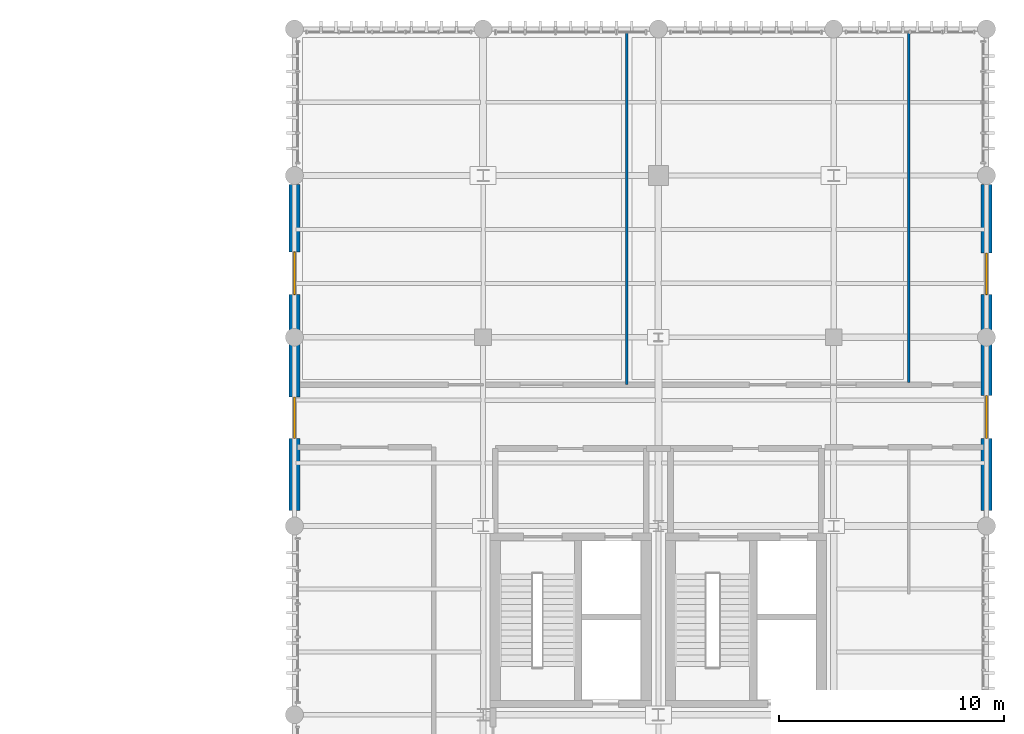
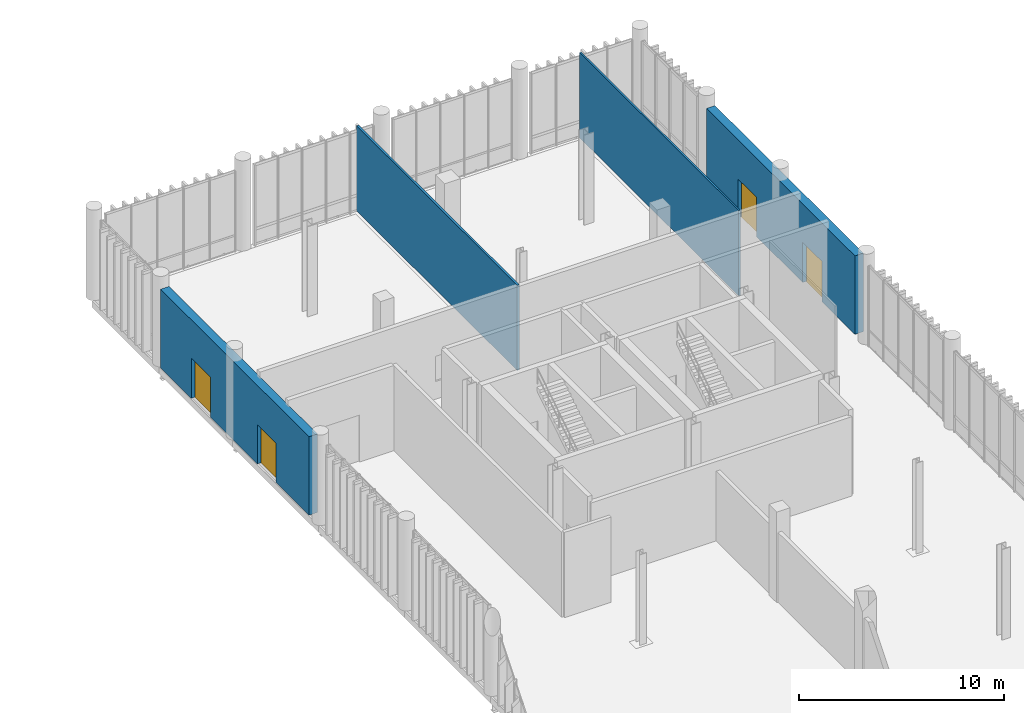
# One storey, part 95 of 112: 4 doors, 4 walls, 4 openings.
"""IFC4 building model written with IfcOpenShell, lengths in metres."""

import ifcopenshell
import ifcopenshell.guid

model = None  # the IFC model being written
_history = None  # IfcOwnerHistory: only IFC2X3 demands one
_inside = {}  # id of a spatial element -> (the spatial element, [elements in it])
_under = {}  # id of a project, library or spatial element -> (it, [spatial elements below it])
_declared = {}  # id of a project -> (the project, [libraries it declares])
_typed = {}  # id of a type object -> (the type object, [elements of that type])
_made_of = {}  # id of a material, layer set ... -> (it, [elements and type objects made of it])


def new_model(schema):
    """Start an empty IFC model of exactly this schema.

    Asked for "IFC4X3", IfcOpenShell would pick the latest addendum, in which some entities
    have other attributes; the version numbers below select the first issue.
    IFC2X3 requires an IfcOwnerHistory on every rooted entity: one is made here for all.
    """
    global model, _history
    if schema == "IFC4X3":
        model = ifcopenshell.file(schema_version=(4, 3, 0, 0))
    else:
        model = ifcopenshell.file(schema=schema)
    _inside.clear()
    _under.clear()
    _declared.clear()
    _typed.clear()
    _made_of.clear()
    _history = None
    if model.schema == "IFC2X3":
        org = make("IfcOrganization", Name="unknown")
        user = make(
            "IfcPersonAndOrganization",
            ThePerson=make("IfcPerson", FamilyName="unknown"),
            TheOrganization=org,
        )
        app = make(
            "IfcApplication",
            ApplicationDeveloper=org,
            Version="unknown",
            ApplicationFullName="unknown",
            ApplicationIdentifier="unknown",
        )
        _history = make(
            "IfcOwnerHistory",
            OwningUser=user,
            OwningApplication=app,
            ChangeAction="ADDED",
            CreationDate=0,
        )
    return model


def make(cls, **values):
    """One entity of the class cls with the attributes given. An attribute that is None is left unset."""
    return model.create_entity(
        cls, **{name: value for name, value in values.items() if value is not None}
    )


def rooted(cls, **values):
    """An entity with a GlobalId (a new one), such as an element, a storey or a relation."""
    return make(cls, GlobalId=ifcopenshell.guid.new(), OwnerHistory=_history, **values)


def si_unit(unit_type, name, prefix=None):
    """IfcSIUnit, for example si_unit("LENGTHUNIT", "METRE", prefix="MILLI")."""
    return make("IfcSIUnit", UnitType=unit_type, Prefix=prefix, Name=name)


def assignment(units):
    """IfcUnitAssignment: the units of a project."""
    return None if units is None else make("IfcUnitAssignment", Units=units)


def point(xyz):
    """IfcCartesianPoint."""
    return None if xyz is None else make("IfcCartesianPoint", Coordinates=xyz)


def direction(xyz):
    """IfcDirection."""
    return None if xyz is None else make("IfcDirection", DirectionRatios=xyz)


def frame(location, z_axis=None, x_axis=None):
    """IfcAxis2Placement3D, a coordinate frame: its origin and axes. An axis left out is left unset."""
    return make(
        "IfcAxis2Placement3D",
        Location=point(location),
        Axis=direction(z_axis),
        RefDirection=direction(x_axis),
    )


def frame_2d(location, x_axis=None):
    """IfcAxis2Placement2D, a coordinate frame in the plane: its origin and x axis."""
    return make(
        "IfcAxis2Placement2D", Location=point(location), RefDirection=direction(x_axis)
    )


def origin_with_axes():
    """The frame at (0, 0, 0) with the z axis (0, 0, 1) and the x axis (1, 0, 0) written out."""
    return frame((0.0, 0.0, 0.0), z_axis=(0.0, 0.0, 1.0), x_axis=(1.0, 0.0, 0.0))


def place(relative_to, where):
    """IfcLocalPlacement: puts the frame where relative to a parent placement (None: the world)."""
    return make(
        "IfcLocalPlacement", PlacementRelTo=relative_to, RelativePlacement=where
    )


def context(
    kind, dimensions, precision=None, world=None, true_north=None, identifier=None
):
    """IfcGeometricRepresentationContext, for example the 3D "Model" context."""
    return make(
        "IfcGeometricRepresentationContext",
        ContextIdentifier=identifier,
        ContextType=kind,
        CoordinateSpaceDimension=dimensions,
        Precision=precision,
        WorldCoordinateSystem=world,
        TrueNorth=true_north,
    )


def subcontext(parent, identifier, kind, view, scale=None):
    """IfcGeometricRepresentationSubContext, for example "Body" below "Model"."""
    return make(
        "IfcGeometricRepresentationSubContext",
        ContextIdentifier=identifier,
        ContextType=kind,
        ParentContext=parent,
        TargetScale=scale,
        TargetView=view,
    )


def project(units=None, contexts=None):
    """IfcProject with its units and contexts."""
    return rooted(
        "IfcProject",
        Name="project",
        RepresentationContexts=contexts,
        UnitsInContext=assignment(units),
    )


def spatial(cls, under=None, at=None, **own):
    """A site, building, storey or space (cls), placed at a placement, below another one or the project."""
    s = rooted(cls, ObjectPlacement=at, **own)
    if under is not None:
        _under.setdefault(under.id(), (under, []))[1].append(s)
    return s


def profile(cls, at=None, kind="AREA", **sizes):
    """A parametric profile (cls). Its sizes go by their IFC names, for example OverallWidth=200.0."""
    return make(cls, ProfileType=kind, Position=at, **sizes)


def rectangle(**sizes):
    """IfcRectangleProfileDef."""
    return profile("IfcRectangleProfileDef", **sizes)


def extrude(swept, where, along, depth):
    """IfcExtrudedAreaSolid: the profile swept, set in the frame where, extruded along a direction by depth."""
    return make(
        "IfcExtrudedAreaSolid",
        SweptArea=swept,
        Position=where,
        ExtrudedDirection=direction(along),
        Depth=depth,
    )


def shape(context_of_items, identifier, shape_type, items):
    """IfcShapeRepresentation: the items that make up one representation, for example the "Body"."""
    return make(
        "IfcShapeRepresentation",
        ContextOfItems=context_of_items,
        RepresentationIdentifier=identifier,
        RepresentationType=shape_type,
        Items=items,
    )


def material(Name=None, Category=None):
    """IfcMaterial."""
    return make("IfcMaterial", Name=Name, Category=Category)


def layer(
    of_material, thickness, ventilated=None, Name=None, Category=None, Priority=None
):
    """IfcMaterialLayer: one layer of a wall or slab, of a material (None: an air gap)."""
    return make(
        "IfcMaterialLayer",
        Material=of_material,
        LayerThickness=thickness,
        IsVentilated=ventilated,
        Name=Name,
        Category=Category,
        Priority=Priority,
    )


def layer_set(layers, Name=None):
    """IfcMaterialLayerSet."""
    return make("IfcMaterialLayerSet", MaterialLayers=layers, LayerSetName=Name)


def made_of(thing, what):
    """Note that an element or type object is made of a material, layer set ...; save() writes the relation."""
    if what is not None:
        _made_of.setdefault(what.id(), (what, []))[1].append(thing)
    return thing


def type_object(cls, material=None, **own):
    """A type object (cls), such as IfcWallType, which elements share."""
    return made_of(rooted(cls, **own), material)


def element(
    cls,
    number,
    at=None,
    inside=None,
    cuts=None,
    type_object=None,
    material=None,
    context=None,
    identifier="Body",
    shape_type=None,
    held_by="IfcProductDefinitionShape",
    body=None,
    shapes=None,
    **own,
):
    """One element of the class cls, such as IfcWall. Its Tag is "e" and its number.

    at: its placement. inside: the storey or other place that contains it. cuts: it is an
    opening in that element (IfcRelVoidsElement). A single representation is given by context,
    identifier, shape_type and body (its items); several are given by shapes. held_by: the class
    of the entity that holds the representations. save() writes the other relations.
    """
    e = rooted(cls, Tag="e%d" % number, ObjectPlacement=at, **own)
    if body is not None:
        shapes = [shape(context, identifier, shape_type, body)]
    if shapes is not None:
        e.Representation = make(held_by, Representations=shapes)
    if inside is not None:
        _inside.setdefault(inside.id(), (inside, []))[1].append(e)
    if cuts is not None:
        rooted(
            "IfcRelVoidsElement", RelatingBuildingElement=cuts, RelatedOpeningElement=e
        )
    if type_object is not None:
        _typed.setdefault(type_object.id(), (type_object, []))[1].append(e)
    return made_of(e, material)


def fill(opening, filler):
    """IfcRelFillsElement: the door or window that sits in an opening."""
    return rooted(
        "IfcRelFillsElement",
        RelatingOpeningElement=opening,
        RelatedBuildingElement=filler,
    )


def aggregate(whole, parts):
    """IfcRelAggregates: a whole, such as a stair, and the parts it consists of."""
    return rooted("IfcRelAggregates", RelatingObject=whole, RelatedObjects=parts)


def save(model, path):
    """Write the relations noted so far, then the file.

    IfcRelAggregates (storeys below a building ...), IfcRelContainedInSpatialStructure (elements
    in a storey), IfcRelDefinesByType, IfcRelAssociatesMaterial and IfcRelDeclares: one each for
    every whole, place, type object, material and project.
    """
    for whole, parts in _under.values():
        aggregate(whole, parts)
    for where, things in _inside.values():
        rooted(
            "IfcRelContainedInSpatialStructure",
            RelatedElements=things,
            RelatingStructure=where,
        )
    for kind, things in _typed.values():
        rooted("IfcRelDefinesByType", RelatedObjects=things, RelatingType=kind)
    for what, things in _made_of.values():
        rooted("IfcRelAssociatesMaterial", RelatedObjects=things, RelatingMaterial=what)
    for by, libraries in _declared.values():
        rooted("IfcRelDeclares", RelatingContext=by, RelatedDefinitions=libraries)
    model.write(path)


model = new_model("IFC4")

# Units and contexts
model_context = context("Model", 3, precision=1e-05, world=origin_with_axes(), true_north=direction((0.0, 1.0)))
body_context = subcontext(model_context, "Body", "Model", "MODEL_VIEW")
ifc_project = project(units=[si_unit("LENGTHUNIT", "METRE"), si_unit("AREAUNIT", "SQUARE_METRE"), si_unit("VOLUMEUNIT", "CUBIC_METRE"), si_unit("PLANEANGLEUNIT", "RADIAN"), si_unit("MASSUNIT", "GRAM", prefix="KILO"), si_unit("THERMODYNAMICTEMPERATUREUNIT", "KELVIN")], contexts=[model_context])

# Site, building, storey
site_placement = place(None, origin_with_axes())
site = spatial("IfcSite", under=ifc_project, at=site_placement, CompositionType="ELEMENT")
building_placement = place(site_placement, origin_with_axes())
building = spatial("IfcBuilding", under=site, at=building_placement, Name="Montbau Bow Law Courts", CompositionType="ELEMENT")
storey_placement = place(building_placement, origin_with_axes())
storey = spatial("IfcBuildingStorey", under=building, at=storey_placement, Name="L00", CompositionType="ELEMENT", Elevation=0.0)

# Wall, openings, doors
ifc_material_1 = material(Name="Manitoba Tyndall Limestone on Insulated Concrete Backing CSA A23.1 f'c 35 MPa", Category="masonry")
ifc_layer_1 = layer(ifc_material_1, 0.48, Name="Solid Wall", Category="masonry")
ifc_layer_set_1 = layer_set([ifc_layer_1], Name="Manitoba Tyndall Limestone on Insulated Concrete Backing CSA A23.1 f'c 35 MPa")
wall_type_1 = type_object("IfcWallType", Name="W-EXT-01", PredefinedType="SOLIDWALL", material=ifc_layer_set_1)
wall_1_placement = place(None, frame((169.4, 95.5, 0.0), z_axis=(0.0, 0.0, 1.0), x_axis=(0.0, 1.0, 0.0)))
wall_1 = element("IfcWall", 1, at=wall_1_placement, inside=storey, type_object=wall_type_1, Name="WE-L00-031:wal_0048", PredefinedType="SOLIDWALL", context=body_context, shape_type="SweptSolid", body=[
    extrude(rectangle(XDim=14.5, YDim=0.48, at=frame_2d((7.25, 0.0), x_axis=(1.0, 0.0))), origin_with_axes(), (0.0, 0.0, 1.0), 4.684),
])
opening_1_placement = place(None, frame((169.4, 99.65, 0.0), z_axis=(0.0, 0.0, 1.0), x_axis=(0.0, 1.0, 0.0)))
opening_1 = element("IfcOpeningElement", 2, at=opening_1_placement, cuts=wall_1, Name="OP-D-L00-E12", PredefinedType="OPENING", context=body_context, shape_type="SweptSolid", body=[
    extrude(rectangle(XDim=1.9, YDim=2.4, at=frame_2d((0.0, 1.2), x_axis=(1.0, 0.0))), frame((0.0, 0.25, 0.0), z_axis=(0.0, -1.0, 0.0), x_axis=(1.0, 0.0, 0.0)), (0.0, 0.0, 1.0), 0.5),
])
opening_2_placement = place(None, frame((169.4, 106.02, 0.0), z_axis=(0.0, 0.0, 1.0), x_axis=(0.0, 1.0, 0.0)))
opening_2 = element("IfcOpeningElement", 3, at=opening_2_placement, cuts=wall_1, Name="OP-D-L00-E13", PredefinedType="OPENING", context=body_context, shape_type="SweptSolid", body=[
    extrude(rectangle(XDim=1.84, YDim=2.34, at=frame_2d((0.0, 1.17), x_axis=(1.0, 0.0))), frame((0.0, 0.25, 0.0), z_axis=(0.0, -1.0, 0.0), x_axis=(1.0, 0.0, 0.0)), (0.0, 0.0, 1.0), 0.5),
])
ifc_material_2 = material(Name="Insulated Hollow-Metal Exit Discharge Door", Category="steel")
door_type_1 = type_object("IfcDoorType", Name="D-EXT-04", OperationType="NOTDEFINED", ParameterTakesPrecedence=False, PredefinedType="DOOR", material=ifc_material_2)
door_1_placement = place(None, frame((169.4, 99.65, 0.0), z_axis=(0.0, 0.0, 1.0), x_axis=(0.0, -1.0, 0.0)))
door_1 = element("IfcDoor", 4, at=door_1_placement, inside=storey, type_object=door_type_1, Name="D-L00-E12:dor_0015", OperationType="DOUBLE_DOOR_SINGLE_SWING", OverallHeight=2.4, OverallWidth=1.9, PredefinedType="DOOR", context=body_context, shape_type="SweptSolid", body=[
    extrude(rectangle(XDim=1.9, YDim=2.4, at=frame_2d((0.0, 1.2), x_axis=(1.0, 0.0))), frame((0.0, 0.04, 0.0), z_axis=(0.0, -1.0, 0.0), x_axis=(1.0, 0.0, 0.0)), (0.0, 0.0, 1.0), 0.08),
])
fill(opening_1, door_1)
ifc_material_3 = material(Name="Insulated Hollow-Metal Passage Discharge Door", Category="steel")
door_type_2 = type_object("IfcDoorType", Name="D-EXT-05", OperationType="NOTDEFINED", ParameterTakesPrecedence=False, PredefinedType="DOOR", material=ifc_material_3)
door_2_placement = place(None, frame((169.4, 106.02, 0.0), z_axis=(0.0, 0.0, 1.0), x_axis=(0.0, -1.0, 0.0)))
door_2 = element("IfcDoor", 5, at=door_2_placement, inside=storey, type_object=door_type_2, Name="D-L00-E13:dor_0016", OperationType="DOUBLE_DOOR_SINGLE_SWING", OverallHeight=2.34, OverallWidth=1.84, PredefinedType="DOOR", context=body_context, shape_type="SweptSolid", body=[
    extrude(rectangle(XDim=1.84, YDim=2.34, at=frame_2d((0.0, 1.17), x_axis=(1.0, 0.0))), frame((0.0, 0.04, 0.0), z_axis=(0.0, -1.0, 0.0), x_axis=(1.0, 0.0, 0.0)), (0.0, 0.0, 1.0), 0.08),
])
fill(opening_2, door_2)

wall_2_placement = place(None, frame((138.6, 95.5, 0.0), z_axis=(0.0, 0.0, 1.0), x_axis=(0.0, 1.0, 0.0)))
wall_2 = element("IfcWall", 6, at=wall_2_placement, inside=storey, type_object=wall_type_1, Name="WE-L00-032:wal_0049", PredefinedType="SOLIDWALL", context=body_context, shape_type="SweptSolid", body=[
    extrude(rectangle(XDim=14.5, YDim=0.48, at=frame_2d((7.25, 0.0), x_axis=(1.0, 0.0))), origin_with_axes(), (0.0, 0.0, 1.0), 4.684),
])
opening_3_placement = place(None, frame((138.6, 99.62, 0.0), z_axis=(0.0, 0.0, 1.0), x_axis=(0.0, 1.0, 0.0)))
opening_3 = element("IfcOpeningElement", 7, at=opening_3_placement, cuts=wall_2, Name="OP-D-L00-E14", PredefinedType="OPENING", context=body_context, shape_type="SweptSolid", body=[
    extrude(rectangle(XDim=1.84, YDim=2.34, at=frame_2d((0.0, 1.17), x_axis=(1.0, 0.0))), frame((0.0, 0.25, 0.0), z_axis=(0.0, -1.0, 0.0), x_axis=(1.0, 0.0, 0.0)), (0.0, 0.0, 1.0), 0.5),
])
opening_4_placement = place(None, frame((138.6, 106.05, 0.0), z_axis=(0.0, 0.0, 1.0), x_axis=(0.0, 1.0, 0.0)))
opening_4 = element("IfcOpeningElement", 8, at=opening_4_placement, cuts=wall_2, Name="OP-D-L00-E20", PredefinedType="OPENING", context=body_context, shape_type="SweptSolid", body=[
    extrude(rectangle(XDim=1.9, YDim=2.4, at=frame_2d((0.0, 1.2), x_axis=(1.0, 0.0))), frame((0.0, 0.25, 0.0), z_axis=(0.0, -1.0, 0.0), x_axis=(1.0, 0.0, 0.0)), (0.0, 0.0, 1.0), 0.5),
])
door_3_placement = place(None, frame((138.6, 106.05, 0.0), z_axis=(0.0, 0.0, 1.0), x_axis=(0.0, 1.0, 0.0)))
door_3 = element("IfcDoor", 9, at=door_3_placement, inside=storey, type_object=door_type_1, Name="D-L00-E20:dor_0018", OperationType="DOUBLE_DOOR_SINGLE_SWING", OverallHeight=2.4, OverallWidth=1.9, PredefinedType="DOOR", context=body_context, shape_type="SweptSolid", body=[
    extrude(rectangle(XDim=1.9, YDim=2.4, at=frame_2d((0.0, 1.2), x_axis=(1.0, 0.0))), frame((0.0, 0.04, 0.0), z_axis=(0.0, -1.0, 0.0), x_axis=(1.0, 0.0, 0.0)), (0.0, 0.0, 1.0), 0.08),
])
fill(opening_4, door_3)
door_4_placement = place(None, frame((138.6, 99.62, 0.0), z_axis=(0.0, 0.0, 1.0), x_axis=(0.0, 1.0, 0.0)))
door_4 = element("IfcDoor", 10, at=door_4_placement, inside=storey, type_object=door_type_2, Name="D-L00-E14:dor_0017", OperationType="DOUBLE_DOOR_SINGLE_SWING", OverallHeight=2.34, OverallWidth=1.84, PredefinedType="DOOR", context=body_context, shape_type="SweptSolid", body=[
    extrude(rectangle(XDim=1.84, YDim=2.34, at=frame_2d((0.0, 1.17), x_axis=(1.0, 0.0))), frame((0.0, 0.04, 0.0), z_axis=(0.0, -1.0, 0.0), x_axis=(1.0, 0.0, 0.0)), (0.0, 0.0, 1.0), 0.08),
])
fill(opening_3, door_4)

# Walls
ifc_material_4 = material(Name="1 h Interior Demising Acoustic Stud Partition", Category="gypsum")
ifc_layer_2 = layer(ifc_material_4, 0.12, Name="Partition", Category="gypsum")
ifc_layer_set_2 = layer_set([ifc_layer_2], Name="1 h Interior Demising Acoustic Stud Partition")
wall_type_2 = type_object("IfcWallType", Name="W-PRT-07", PredefinedType="PARTITIONING", material=ifc_layer_set_2)
wall_3_placement = place(None, frame((153.393, 101.09, 0.0), z_axis=(0.0, 0.0, 1.0), x_axis=(0.0, 1.0, 0.0)))
element("IfcWall", 11, at=wall_3_placement, inside=storey, type_object=wall_type_2, Name="WD-L00-0657:wal_0724", PredefinedType="PARTITIONING", context=body_context, shape_type="SweptSolid", body=[
    extrude(rectangle(XDim=15.689999999999998, YDim=0.12, at=frame_2d((7.845, 0.0), x_axis=(1.0, 0.0))), origin_with_axes(), (0.0, 0.0, 1.0), 5.08),
])
ifc_material_5 = material(Name="Washroom Vestibule Furring Partition", Category="gypsum")
ifc_layer_3 = layer(ifc_material_5, 0.1, Name="Partition", Category="gypsum")
ifc_layer_set_3 = layer_set([ifc_layer_3], Name="Washroom Vestibule Furring Partition")
wall_type_3 = type_object("IfcWallType", Name="W-PRT-08", PredefinedType="PARTITIONING", material=ifc_layer_set_3)
wall_4_placement = place(None, frame((165.94, 101.19, 0.0), z_axis=(0.0, 0.0, 1.0), x_axis=(0.0, 1.0, 0.0)))
element("IfcWall", 12, at=wall_4_placement, inside=storey, type_object=wall_type_3, Name="WD-L00-0655:wal_0722", PredefinedType="PARTITIONING", context=body_context, shape_type="SweptSolid", body=[
    extrude(rectangle(XDim=15.549999999999997, YDim=0.1, at=frame_2d((7.775, 0.0), x_axis=(1.0, 0.0))), origin_with_axes(), (0.0, 0.0, 1.0), 5.08),
])

save(model, "model.ifc")
